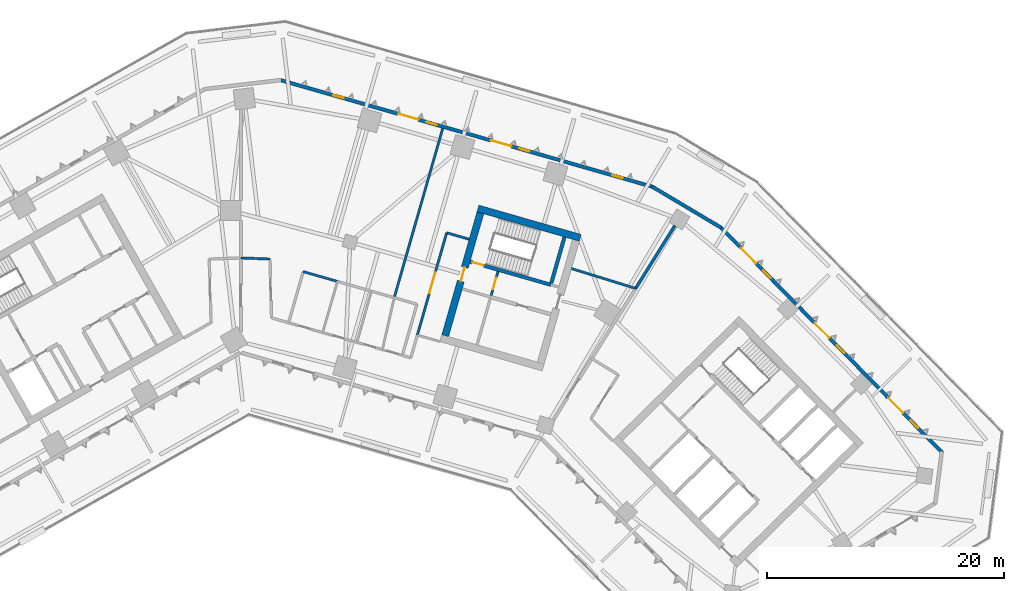
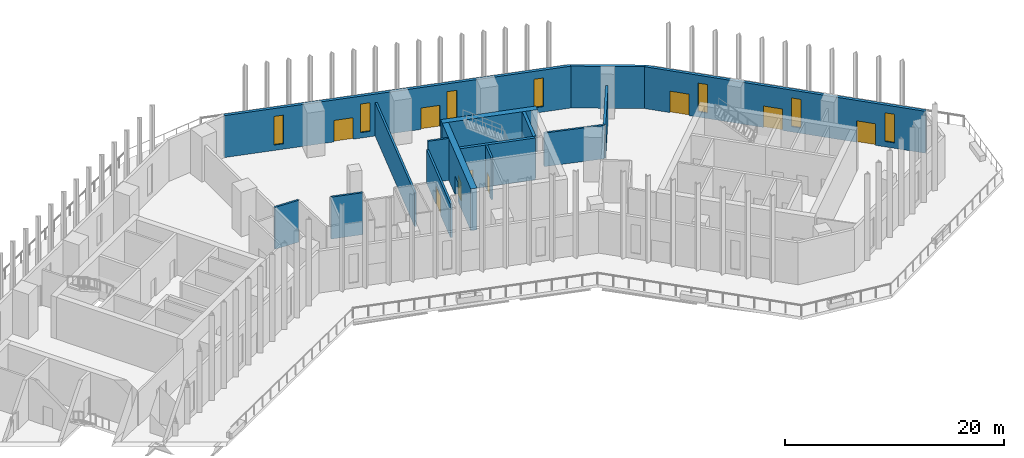
# One storey, part 10 of 17: 15 walls, 9 doors, 7 windows, 16 openings.
"""IFC4 building model written with IfcOpenShell, lengths in metres."""

from ifc_helpers import new_model, si_unit, direction, frame, frame_2d, origin, place, context, subcontext, project, spatial, rectangle, extrude, material, layer, layer_set, type_object, element, fill, save


model = new_model("IFC4")

# Units and contexts
model_context = context("Model", 3, precision=1e-05, world=origin(), true_north=direction((0.0, 1.0)))
body_context = subcontext(model_context, "Body", "Model", "MODEL_VIEW")
ifc_project = project(units=[si_unit("LENGTHUNIT", "METRE"), si_unit("AREAUNIT", "SQUARE_METRE"), si_unit("VOLUMEUNIT", "CUBIC_METRE"), si_unit("PLANEANGLEUNIT", "RADIAN"), si_unit("MASSUNIT", "GRAM", prefix="KILO")], contexts=[model_context])

# Site, building, storey
site_placement = place(None, origin())
site = spatial("IfcSite", under=ifc_project, at=site_placement, CompositionType="ELEMENT")
building_placement = place(site_placement, origin())
building = spatial("IfcBuilding", under=site, at=building_placement, Name="Binnacle Exchange Tower", CompositionType="ELEMENT")
storey_placement = place(building_placement, frame((0.0, 0.0, 26.5)))
storey = spatial("IfcBuildingStorey", under=building, at=storey_placement, Name="L05", CompositionType="ELEMENT", Elevation=26.5)

# Wall
ifc_material_1 = material(Name="Concrete C70/85", Category="concrete")
ifc_layer_1 = layer(ifc_material_1, 0.60009765625)
ifc_layer_set_1 = layer_set([ifc_layer_1], Name="Core wall - outer 600")
wall_type_1 = type_object("IfcWallType", Name="Core wall - outer 600", PredefinedType="SOLIDWALL", material=ifc_layer_set_1)
wall_1_placement = place(storey_placement, frame((20.052734375, 60.1796875, 0.0), z_axis=(0.0, 0.0, 1.0), x_axis=(0.96126248289, -0.275634611374, 0.0)))
element("IfcWall", 1, at=wall_1_placement, inside=storey, type_object=wall_type_1, Name="Core wall CRWD6", PredefinedType="SOLIDWALL", context=body_context, shape_type="SweptSolid", body=[
    extrude(rectangle(XDim=9.0, YDim=0.60009765625, at=frame_2d((4.5, 0.0))), origin(), (0.0, 0.0, 1.0), 4.679931640625),
])

# Wall, opening, door
wall_2_placement = place(storey_placement, frame((17.28173828125, 49.427001953125, 0.0), z_axis=(0.0, 0.0, 1.0), x_axis=(0.275631631629, 0.961263337304, 0.0)))
wall_2 = element("IfcWall", 2, at=wall_2_placement, inside=storey, type_object=wall_type_1, Name="Core wall CRWD7", PredefinedType="SOLIDWALL", context=body_context, shape_type="SweptSolid", body=[
    extrude(rectangle(XDim=10.800048828125, YDim=0.60009765625, at=frame_2d((5.39990234375, 0.0))), origin(), (0.0, 0.0, 1.0), 4.679931640625),
])
opening_1_placement = place(wall_2_placement, frame((4.800048828125, 0.0, 0.0)))
opening_1 = element("IfcOpeningElement", 3, at=opening_1_placement, cuts=wall_2, Name="Opening DD5", PredefinedType="OPENING", context=body_context, shape_type="SweptSolid", body=[
    extrude(rectangle(XDim=1.199951171875, YDim=2.10009765625, at=frame_2d((0.60009765625, 1.050048828125))), frame((0.0, 0.31005859375, 0.0), z_axis=(0.0, -1.0, 0.0), x_axis=(1.0, 0.0, 0.0)), (0.0, 0.0, 1.0), 0.6201171875),
])
ifc_material_2 = material(Name="Steel door leaf", Category="steel")
door_type_1 = type_object("IfcDoorType", Name="Fire door 1200", OperationType="NOTDEFINED", PredefinedType="DOOR", material=ifc_material_2)
door_1_placement = place(opening_1_placement, origin())
door_1 = element("IfcDoor", 4, at=door_1_placement, inside=storey, type_object=door_type_1, Name="Vestibule exit door VEST-W", OperationType="SINGLE_SWING_RIGHT", OverallHeight=2.10009765625, OverallWidth=1.199951171875, PredefinedType="DOOR", context=body_context, shape_type="SweptSolid", body=[
    extrude(rectangle(XDim=1.199951171875, YDim=2.10009765625, at=frame_2d((0.60009765625, 1.050048828125))), frame((0.0, 0.02490234375, 0.0), z_axis=(0.0, -1.0, 0.0), x_axis=(1.0, 0.0, 0.0)), (0.0, 0.0, 1.0), 0.050048828125),
])
fill(opening_1, door_1)

ifc_layer_2 = layer(ifc_material_1, 0.300048828125)
ifc_layer_set_2 = layer_set([ifc_layer_2], Name="Core wall - stair 300")
wall_type_2 = type_object("IfcWallType", Name="Core wall - stair 300", PredefinedType="SOLIDWALL", material=ifc_layer_set_2)
wall_3_placement = place(storey_placement, frame((19.38916015625, 55.688720703125, 0.0), z_axis=(0.0, 0.0, 1.0), x_axis=(0.961261397636, -0.275638396117, 0.0)))
wall_3 = element("IfcWall", 5, at=wall_3_placement, inside=storey, type_object=wall_type_2, Name="Core wall CRWD4", PredefinedType="SOLIDWALL", context=body_context, shape_type="SweptSolid", body=[
    extrude(rectangle(XDim=7.10009765625, YDim=0.300048828125, at=frame_2d((3.550048828125, 0.0))), origin(), (0.0, 0.0, 1.0), 4.679931640625),
])
opening_2_placement = place(wall_3_placement, frame((0.199951171875, 0.0, 0.0)))
opening_2 = element("IfcOpeningElement", 6, at=opening_2_placement, cuts=wall_3, Name="Opening DD1", PredefinedType="OPENING", context=body_context, shape_type="SweptSolid", body=[
    extrude(rectangle(XDim=1.0, YDim=2.10009765625, at=frame_2d((0.5, 1.050048828125))), frame((0.0, 0.159912109375, 0.0), z_axis=(0.0, -1.0, 0.0), x_axis=(1.0, 0.0, 0.0)), (0.0, 0.0, 1.0), 0.320068359375),
])
door_type_2 = type_object("IfcDoorType", Name="Fire door 1000", OperationType="NOTDEFINED", PredefinedType="DOOR", material=ifc_material_2)
door_2_placement = place(opening_2_placement, origin())
door_2 = element("IfcDoor", 7, at=door_2_placement, inside=storey, type_object=door_type_2, Name="Stair door ST-D1", OperationType="SINGLE_SWING_LEFT", OverallHeight=2.10009765625, OverallWidth=1.0, PredefinedType="DOOR", context=body_context, shape_type="SweptSolid", body=[
    extrude(rectangle(XDim=1.0, YDim=2.10009765625, at=frame_2d((0.5, 1.050048828125))), frame((0.0, 0.02490234375, 0.0), z_axis=(0.0, -1.0, 0.0), x_axis=(1.0, 0.0, 0.0)), (0.0, 0.0, 1.0), 0.050048828125),
])
fill(opening_2, door_2)

# Walls
wall_4_placement = place(storey_placement, frame((26.255615234375, 53.875732421875, 0.0), z_axis=(0.0, 0.0, 1.0), x_axis=(0.275612739511, 0.961268754209, 0.0)))
element("IfcWall", 8, at=wall_4_placement, inside=storey, type_object=wall_type_2, Name="Core wall CRWD11", PredefinedType="SOLIDWALL", context=body_context, shape_type="SweptSolid", body=[
    extrude(rectangle(XDim=4.0498046875, YDim=0.300048828125, at=frame_2d((2.02490234375, 0.0))), origin(), (0.0, 0.0, 1.0), 4.679931640625),
])
ifc_material_3 = material(Name="Bronze aluminium cladding", Category="aluminium")
ifc_layer_3 = layer(ifc_material_3, 0.300048828125)
ifc_layer_set_3 = layer_set([ifc_layer_3], Name="External wall - spandrel 300")
wall_type_3 = type_object("IfcWallType", Name="External wall - spandrel 300", PredefinedType="STANDARD", material=ifc_layer_set_3)
wall_5_placement = place(storey_placement, frame((34.773193359375, 62.0341796875, 0.0), z_axis=(0.0, 0.0, 1.0), x_axis=(0.859401317772, -0.511301647769, 0.0)))
element("IfcWall", 9, at=wall_5_placement, inside=storey, type_object=wall_type_3, Name="External wall EW-F00 L05", PredefinedType="STANDARD", context=body_context, shape_type="SweptSolid", body=[
    extrude(rectangle(XDim=6.80810546875, YDim=0.300048828125, at=frame_2d((3.404052734375, 0.0))), origin(), (0.0, 0.0, 1.0), 4.679931640625),
])

# Wall, openings, doors, windows
wall_6_placement = place(storey_placement, frame((3.33544921875, 71.043701171875, 0.0), z_axis=(0.0, 0.0, 1.0), x_axis=(0.961260130989, -0.275642813387, 0.0)))
wall_6 = element("IfcWall", 10, at=wall_6_placement, inside=storey, type_object=wall_type_3, Name="External wall EW-F01 L05", PredefinedType="STANDARD", context=body_context, shape_type="SweptSolid", body=[
    extrude(rectangle(XDim=32.7412109375, YDim=0.300048828125, at=frame_2d((16.37060546875, 0.0))), origin(), (0.0, 0.0, 1.0), 4.679931640625),
])
opening_3_placement = place(wall_6_placement, frame((29.20703125, 0.0, 0.60009765625)))
opening_3 = element("IfcOpeningElement", 11, at=opening_3_placement, cuts=wall_6, Name="Opening WS1", PredefinedType="OPENING", context=body_context, shape_type="SweptSolid", body=[
    extrude(rectangle(XDim=0.89990234375, YDim=3.199951171875, at=frame_2d((0.449951171875, 1.60009765625))), frame((0.0, 0.159912109375, 0.0), z_axis=(0.0, -1.0, 0.0), x_axis=(1.0, 0.0, 0.0)), (0.0, 0.0, 1.0), 0.320068359375),
])
opening_4_placement = place(wall_6_placement, frame((21.0341796875, 0.0, 0.60009765625)))
opening_4 = element("IfcOpeningElement", 12, at=opening_4_placement, cuts=wall_6, Name="Opening WS1", PredefinedType="OPENING", context=body_context, shape_type="SweptSolid", body=[
    extrude(rectangle(XDim=0.89990234375, YDim=3.199951171875, at=frame_2d((0.449951171875, 1.60009765625))), frame((0.0, 0.159912109375, 0.0), z_axis=(0.0, -1.0, 0.0), x_axis=(1.0, 0.0, 0.0)), (0.0, 0.0, 1.0), 0.320068359375),
])
opening_5_placement = place(wall_6_placement, frame((18.541015625, 0.0, 0.0)))
opening_5 = element("IfcOpeningElement", 13, at=opening_5_placement, cuts=wall_6, Name="Opening D-FS05-01", PredefinedType="OPENING", context=body_context, shape_type="SweptSolid", body=[
    extrude(rectangle(XDim=1.800048828125, YDim=2.39990234375, at=frame_2d((0.89990234375, 1.199951171875))), frame((0.0, 0.159912109375, 0.0), z_axis=(0.0, -1.0, 0.0), x_axis=(1.0, 0.0, 0.0)), (0.0, 0.0, 1.0), 0.320068359375),
])
opening_6_placement = place(wall_6_placement, frame((12.861083984375, 0.0, 0.60009765625)))
opening_6 = element("IfcOpeningElement", 14, at=opening_6_placement, cuts=wall_6, Name="Opening WS1", PredefinedType="OPENING", context=body_context, shape_type="SweptSolid", body=[
    extrude(rectangle(XDim=0.89990234375, YDim=3.199951171875, at=frame_2d((0.449951171875, 1.60009765625))), frame((0.0, 0.159912109375, 0.0), z_axis=(0.0, -1.0, 0.0), x_axis=(1.0, 0.0, 0.0)), (0.0, 0.0, 1.0), 0.320068359375),
])
opening_7_placement = place(wall_6_placement, frame((10.367919921875, 0.0, 0.0)))
opening_7 = element("IfcOpeningElement", 15, at=opening_7_placement, cuts=wall_6, Name="Opening D-FS05-02", PredefinedType="OPENING", context=body_context, shape_type="SweptSolid", body=[
    extrude(rectangle(XDim=1.800048828125, YDim=2.39990234375, at=frame_2d((0.89990234375, 1.199951171875))), frame((0.0, 0.159912109375, 0.0), z_axis=(0.0, -1.0, 0.0), x_axis=(1.0, 0.0, 0.0)), (0.0, 0.0, 1.0), 0.320068359375),
])
opening_8_placement = place(wall_6_placement, frame((4.688232421875, 0.0, 0.60009765625)))
opening_8 = element("IfcOpeningElement", 16, at=opening_8_placement, cuts=wall_6, Name="Opening WS1", PredefinedType="OPENING", context=body_context, shape_type="SweptSolid", body=[
    extrude(rectangle(XDim=0.89990234375, YDim=3.199951171875, at=frame_2d((0.449951171875, 1.60009765625))), frame((0.0, 0.159912109375, 0.0), z_axis=(0.0, -1.0, 0.0), x_axis=(1.0, 0.0, 0.0)), (0.0, 0.0, 1.0), 0.320068359375),
])
ifc_material_4 = material(Name="Bronze anodised aluminium frame", Category="aluminium")
door_type_3 = type_object("IfcDoorType", Name="DT DOOR 1800x2400", OperationType="DOUBLE_DOOR_SINGLE_SWING", PredefinedType="DOOR", material=ifc_material_4)
door_3_placement = place(opening_5_placement, origin())
door_3 = element("IfcDoor", 17, at=door_3_placement, inside=storey, type_object=door_type_3, Name="Door D-FS05-01 L05", OperationType="DOUBLE_DOOR_SINGLE_SWING", OverallHeight=2.39990234375, OverallWidth=1.800048828125, PredefinedType="DOOR", context=body_context, shape_type="SweptSolid", body=[
    extrude(rectangle(XDim=1.800048828125, YDim=2.39990234375, at=frame_2d((0.89990234375, 1.199951171875))), frame((0.0, 0.02490234375, 0.0), z_axis=(0.0, -1.0, 0.0), x_axis=(1.0, 0.0, 0.0)), (0.0, 0.0, 1.0), 0.050048828125),
])
fill(opening_5, door_3)
door_4_placement = place(opening_7_placement, origin())
door_4 = element("IfcDoor", 18, at=door_4_placement, inside=storey, type_object=door_type_3, Name="Door D-FS05-02 L05", OperationType="DOUBLE_DOOR_SINGLE_SWING", OverallHeight=2.39990234375, OverallWidth=1.800048828125, PredefinedType="DOOR", context=body_context, shape_type="SweptSolid", body=[
    extrude(rectangle(XDim=1.800048828125, YDim=2.39990234375, at=frame_2d((0.89990234375, 1.199951171875))), frame((0.0, 0.02490234375, 0.0), z_axis=(0.0, -1.0, 0.0), x_axis=(1.0, 0.0, 0.0)), (0.0, 0.0, 1.0), 0.050048828125),
])
fill(opening_7, door_4)
window_type = type_object("IfcWindowType", Name="WS1 WINDOW 900x3200", PartitioningType="SINGLE_PANEL", PredefinedType="WINDOW", material=ifc_material_4)
window_1_placement = place(opening_3_placement, origin())
window_1 = element("IfcWindow", 19, at=window_1_placement, inside=storey, type_object=window_type, Name="Window WS1 L05", OverallHeight=3.199951171875, OverallWidth=0.89990234375, PartitioningType="SINGLE_PANEL", PredefinedType="WINDOW", context=body_context, shape_type="SweptSolid", body=[
    extrude(rectangle(XDim=0.89990234375, YDim=3.199951171875, at=frame_2d((0.449951171875, 1.60009765625))), frame((0.0, 0.030029296875, 0.0), z_axis=(0.0, -1.0, 0.0), x_axis=(1.0, 0.0, 0.0)), (0.0, 0.0, 1.0), 0.06005859375),
])
fill(opening_3, window_1)
window_2_placement = place(opening_4_placement, origin())
window_2 = element("IfcWindow", 20, at=window_2_placement, inside=storey, type_object=window_type, Name="Window WS1 L05", OverallHeight=3.199951171875, OverallWidth=0.89990234375, PartitioningType="SINGLE_PANEL", PredefinedType="WINDOW", context=body_context, shape_type="SweptSolid", body=[
    extrude(rectangle(XDim=0.89990234375, YDim=3.199951171875, at=frame_2d((0.449951171875, 1.60009765625))), frame((0.0, 0.030029296875, 0.0), z_axis=(0.0, -1.0, 0.0), x_axis=(1.0, 0.0, 0.0)), (0.0, 0.0, 1.0), 0.06005859375),
])
fill(opening_4, window_2)
window_3_placement = place(opening_6_placement, origin())
window_3 = element("IfcWindow", 21, at=window_3_placement, inside=storey, type_object=window_type, Name="Window WS1 L05", OverallHeight=3.199951171875, OverallWidth=0.89990234375, PartitioningType="SINGLE_PANEL", PredefinedType="WINDOW", context=body_context, shape_type="SweptSolid", body=[
    extrude(rectangle(XDim=0.89990234375, YDim=3.199951171875, at=frame_2d((0.449951171875, 1.60009765625))), frame((0.0, 0.030029296875, 0.0), z_axis=(0.0, -1.0, 0.0), x_axis=(1.0, 0.0, 0.0)), (0.0, 0.0, 1.0), 0.06005859375),
])
fill(opening_6, window_3)
window_4_placement = place(opening_8_placement, origin())
window_4 = element("IfcWindow", 22, at=window_4_placement, inside=storey, type_object=window_type, Name="Window WS1 L05", OverallHeight=3.199951171875, OverallWidth=0.89990234375, PartitioningType="SINGLE_PANEL", PredefinedType="WINDOW", context=body_context, shape_type="SweptSolid", body=[
    extrude(rectangle(XDim=0.89990234375, YDim=3.199951171875, at=frame_2d((0.449951171875, 1.60009765625))), frame((0.0, 0.030029296875, 0.0), z_axis=(0.0, -1.0, 0.0), x_axis=(1.0, 0.0, 0.0)), (0.0, 0.0, 1.0), 0.06005859375),
])
fill(opening_8, window_4)

wall_7_placement = place(storey_placement, frame((40.59375, 58.576904296875, 0.0), z_axis=(0.0, 0.0, 1.0), x_axis=(0.700909719808, -0.713250001528, 0.0)))
wall_7 = element("IfcWall", 23, at=wall_7_placement, inside=storey, type_object=wall_type_3, Name="External wall EW-F13 L05", PredefinedType="STANDARD", context=body_context, shape_type="SweptSolid", body=[
    extrude(rectangle(XDim=26.70849609375, YDim=0.300048828125, at=frame_2d((13.354248046875, 0.0))), origin(), (0.0, 0.0, 1.0), 4.679931640625),
])
opening_9_placement = place(wall_7_placement, frame((22.8583984375, 0.0, 0.60009765625)))
opening_9 = element("IfcOpeningElement", 24, at=opening_9_placement, cuts=wall_7, Name="Opening WS1", PredefinedType="OPENING", context=body_context, shape_type="SweptSolid", body=[
    extrude(rectangle(XDim=0.89990234375, YDim=3.199951171875, at=frame_2d((0.449951171875, 1.60009765625))), frame((0.0, 0.159912109375, 0.0), z_axis=(0.0, -1.0, 0.0), x_axis=(1.0, 0.0, 0.0)), (0.0, 0.0, 1.0), 0.320068359375),
])
opening_10_placement = place(wall_7_placement, frame((20.1904296875, 0.0, 0.0)))
opening_10 = element("IfcOpeningElement", 25, at=opening_10_placement, cuts=wall_7, Name="Opening D-FS05-16", PredefinedType="OPENING", context=body_context, shape_type="SweptSolid", body=[
    extrude(rectangle(XDim=1.800048828125, YDim=2.39990234375, at=frame_2d((0.89990234375, 1.199951171875))), frame((0.0, 0.159912109375, 0.0), z_axis=(0.0, -1.0, 0.0), x_axis=(1.0, 0.0, 0.0)), (0.0, 0.0, 1.0), 0.320068359375),
])
opening_11_placement = place(wall_7_placement, frame((13.986572265625, 0.0, 0.60009765625)))
opening_11 = element("IfcOpeningElement", 26, at=opening_11_placement, cuts=wall_7, Name="Opening WS1", PredefinedType="OPENING", context=body_context, shape_type="SweptSolid", body=[
    extrude(rectangle(XDim=0.89990234375, YDim=3.199951171875, at=frame_2d((0.449951171875, 1.60009765625))), frame((0.0, 0.159912109375, 0.0), z_axis=(0.0, -1.0, 0.0), x_axis=(1.0, 0.0, 0.0)), (0.0, 0.0, 1.0), 0.320068359375),
])
opening_12_placement = place(wall_7_placement, frame((11.318359375, 0.0, 0.0)))
opening_12 = element("IfcOpeningElement", 27, at=opening_12_placement, cuts=wall_7, Name="Opening D-FS05-17", PredefinedType="OPENING", context=body_context, shape_type="SweptSolid", body=[
    extrude(rectangle(XDim=1.800048828125, YDim=2.39990234375, at=frame_2d((0.89990234375, 1.199951171875))), frame((0.0, 0.159912109375, 0.0), z_axis=(0.0, -1.0, 0.0), x_axis=(1.0, 0.0, 0.0)), (0.0, 0.0, 1.0), 0.320068359375),
])
opening_13_placement = place(wall_7_placement, frame((5.114501953125, 0.0, 0.60009765625)))
opening_13 = element("IfcOpeningElement", 28, at=opening_13_placement, cuts=wall_7, Name="Opening WS1", PredefinedType="OPENING", context=body_context, shape_type="SweptSolid", body=[
    extrude(rectangle(XDim=0.89990234375, YDim=3.199951171875, at=frame_2d((0.449951171875, 1.60009765625))), frame((0.0, 0.159912109375, 0.0), z_axis=(0.0, -1.0, 0.0), x_axis=(1.0, 0.0, 0.0)), (0.0, 0.0, 1.0), 0.320068359375),
])
opening_14_placement = place(wall_7_placement, frame((2.4462890625, 0.0, 0.0)))
opening_14 = element("IfcOpeningElement", 29, at=opening_14_placement, cuts=wall_7, Name="Opening D-FS05-18", PredefinedType="OPENING", context=body_context, shape_type="SweptSolid", body=[
    extrude(rectangle(XDim=1.800048828125, YDim=2.39990234375, at=frame_2d((0.89990234375, 1.199951171875))), frame((0.0, 0.159912109375, 0.0), z_axis=(0.0, -1.0, 0.0), x_axis=(1.0, 0.0, 0.0)), (0.0, 0.0, 1.0), 0.320068359375),
])
door_5_placement = place(opening_10_placement, origin())
door_5 = element("IfcDoor", 30, at=door_5_placement, inside=storey, type_object=door_type_3, Name="Door D-FS05-16 L05", OperationType="DOUBLE_DOOR_SINGLE_SWING", OverallHeight=2.39990234375, OverallWidth=1.800048828125, PredefinedType="DOOR", context=body_context, shape_type="SweptSolid", body=[
    extrude(rectangle(XDim=1.800048828125, YDim=2.39990234375, at=frame_2d((0.89990234375, 1.199951171875))), frame((0.0, 0.02490234375, 0.0), z_axis=(0.0, -1.0, 0.0), x_axis=(1.0, 0.0, 0.0)), (0.0, 0.0, 1.0), 0.050048828125),
])
fill(opening_10, door_5)
door_6_placement = place(opening_12_placement, origin())
door_6 = element("IfcDoor", 31, at=door_6_placement, inside=storey, type_object=door_type_3, Name="Door D-FS05-17 L05", OperationType="DOUBLE_DOOR_SINGLE_SWING", OverallHeight=2.39990234375, OverallWidth=1.800048828125, PredefinedType="DOOR", context=body_context, shape_type="SweptSolid", body=[
    extrude(rectangle(XDim=1.800048828125, YDim=2.39990234375, at=frame_2d((0.89990234375, 1.199951171875))), frame((0.0, 0.02490234375, 0.0), z_axis=(0.0, -1.0, 0.0), x_axis=(1.0, 0.0, 0.0)), (0.0, 0.0, 1.0), 0.050048828125),
])
fill(opening_12, door_6)
door_7_placement = place(opening_14_placement, origin())
door_7 = element("IfcDoor", 32, at=door_7_placement, inside=storey, type_object=door_type_3, Name="Door D-FS05-18 L05", OperationType="DOUBLE_DOOR_SINGLE_SWING", OverallHeight=2.39990234375, OverallWidth=1.800048828125, PredefinedType="DOOR", context=body_context, shape_type="SweptSolid", body=[
    extrude(rectangle(XDim=1.800048828125, YDim=2.39990234375, at=frame_2d((0.89990234375, 1.199951171875))), frame((0.0, 0.02490234375, 0.0), z_axis=(0.0, -1.0, 0.0), x_axis=(1.0, 0.0, 0.0)), (0.0, 0.0, 1.0), 0.050048828125),
])
fill(opening_14, door_7)
window_5_placement = place(opening_9_placement, origin())
window_5 = element("IfcWindow", 33, at=window_5_placement, inside=storey, type_object=window_type, Name="Window WS1 L05", OverallHeight=3.199951171875, OverallWidth=0.89990234375, PartitioningType="SINGLE_PANEL", PredefinedType="WINDOW", context=body_context, shape_type="SweptSolid", body=[
    extrude(rectangle(XDim=0.89990234375, YDim=3.199951171875, at=frame_2d((0.449951171875, 1.60009765625))), frame((0.0, 0.030029296875, 0.0), z_axis=(0.0, -1.0, 0.0), x_axis=(1.0, 0.0, 0.0)), (0.0, 0.0, 1.0), 0.06005859375),
])
fill(opening_9, window_5)
window_6_placement = place(opening_11_placement, origin())
window_6 = element("IfcWindow", 34, at=window_6_placement, inside=storey, type_object=window_type, Name="Window WS1 L05", OverallHeight=3.199951171875, OverallWidth=0.89990234375, PartitioningType="SINGLE_PANEL", PredefinedType="WINDOW", context=body_context, shape_type="SweptSolid", body=[
    extrude(rectangle(XDim=0.89990234375, YDim=3.199951171875, at=frame_2d((0.449951171875, 1.60009765625))), frame((0.0, 0.030029296875, 0.0), z_axis=(0.0, -1.0, 0.0), x_axis=(1.0, 0.0, 0.0)), (0.0, 0.0, 1.0), 0.06005859375),
])
fill(opening_11, window_6)
window_7_placement = place(opening_13_placement, origin())
window_7 = element("IfcWindow", 35, at=window_7_placement, inside=storey, type_object=window_type, Name="Window WS1 L05", OverallHeight=3.199951171875, OverallWidth=0.89990234375, PartitioningType="SINGLE_PANEL", PredefinedType="WINDOW", context=body_context, shape_type="SweptSolid", body=[
    extrude(rectangle(XDim=0.89990234375, YDim=3.199951171875, at=frame_2d((0.449951171875, 1.60009765625))), frame((0.0, 0.030029296875, 0.0), z_axis=(0.0, -1.0, 0.0), x_axis=(1.0, 0.0, 0.0)), (0.0, 0.0, 1.0), 0.06005859375),
])
fill(opening_13, window_7)

# Walls
ifc_material_5 = material(Name="Masonry block wall", Category="masonry")
ifc_layer_4 = layer(ifc_material_5, 0.199951171875)
ifc_layer_set_4 = layer_set([ifc_layer_4], Name="Fire wall - block 200")
wall_type_4 = type_object("IfcWallType", Name="Fire wall - block 200", PredefinedType="PARTITIONING", material=ifc_layer_set_4)
wall_8_placement = place(storey_placement, frame((0.0, 56.0, 0.0), z_axis=(0.0, 0.0, 1.0), x_axis=(0.999349313684, -0.036068673934, 0.0)))
element("IfcWall", 36, at=wall_8_placement, inside=storey, type_object=wall_type_4, Name="Partition W11", PredefinedType="PARTITIONING", context=body_context, shape_type="SweptSolid", body=[
    extrude(rectangle(XDim=2.470703125, YDim=0.199951171875, at=frame_2d((1.2353515625, 0.0))), origin(), (0.0, 0.0, 1.0), 4.679931640625),
])
wall_9_placement = place(storey_placement, frame((5.283935546875, 54.843994140625, 0.0), z_axis=(0.0, 0.0, 1.0), x_axis=(0.961243927922, -0.275699312717, 0.0)))
element("IfcWall", 37, at=wall_9_placement, inside=storey, type_object=wall_type_4, Name="Partition W17", PredefinedType="PARTITIONING", context=body_context, shape_type="SweptSolid", body=[
    extrude(rectangle(XDim=2.999267578125, YDim=0.199951171875, at=frame_2d((1.49951171875, 0.0))), origin(), (0.0, 0.0, 1.0), 4.679931640625),
])
wall_10_placement = place(storey_placement, frame((12.97412109375, 52.638916015625, 0.0), z_axis=(0.0, 0.0, 1.0), x_axis=(0.275299463768, 0.961358520662, 0.0)))
element("IfcWall", 38, at=wall_10_placement, inside=storey, type_object=wall_type_4, Name="Partition W27", PredefinedType="PARTITIONING", context=body_context, shape_type="SweptSolid", body=[
    extrude(rectangle(XDim=14.88525390625, YDim=0.199951171875, at=frame_2d((7.442626953125, 0.0))), origin(), (0.0, 0.0, 1.0), 3.741943359375),
])

# Wall, opening, door
wall_11_placement = place(storey_placement, frame((14.927978515625, 49.47802734375, 0.0), z_axis=(0.0, 0.0, 1.0), x_axis=(0.275674053528, 0.961251172281, 0.0)))
wall_11 = element("IfcWall", 39, at=wall_11_placement, inside=storey, type_object=wall_type_4, Name="Partition W32", PredefinedType="PARTITIONING", context=body_context, shape_type="SweptSolid", body=[
    extrude(rectangle(XDim=8.99951171875, YDim=0.199951171875, at=frame_2d((4.499755859375, 0.0))), origin(), (0.0, 0.0, 1.0), 3.741943359375),
])
opening_15_placement = place(wall_11_placement, frame((3.699951171875, 0.0, 0.0)))
opening_15 = element("IfcOpeningElement", 40, at=opening_15_placement, cuts=wall_11, Name="Opening DL05-09", PredefinedType="OPENING", context=body_context, shape_type="SweptSolid", body=[
    extrude(rectangle(XDim=1.800048828125, YDim=2.10009765625, at=frame_2d((0.89990234375, 1.050048828125))), frame((0.0, 0.10986328125, 0.0), z_axis=(0.0, -1.0, 0.0), x_axis=(1.0, 0.0, 0.0)), (0.0, 0.0, 1.0), 0.219970703125),
])
door_type_4 = type_object("IfcDoorType", Name="Fire door 1800", OperationType="NOTDEFINED", PredefinedType="DOOR", material=ifc_material_2)
door_8_placement = place(opening_15_placement, origin())
door_8 = element("IfcDoor", 41, at=door_8_placement, inside=storey, type_object=door_type_4, Name="Door DL05-09", OperationType="DOUBLE_DOOR_SINGLE_SWING", OverallHeight=2.10009765625, OverallWidth=1.800048828125, PredefinedType="DOOR", context=body_context, shape_type="SweptSolid", body=[
    extrude(rectangle(XDim=1.800048828125, YDim=2.10009765625, at=frame_2d((0.89990234375, 1.050048828125))), frame((0.0, 0.02490234375, 0.0), z_axis=(0.0, -1.0, 0.0), x_axis=(1.0, 0.0, 0.0)), (0.0, 0.0, 1.0), 0.050048828125),
])
fill(opening_15, door_8)

# Walls
wall_12_placement = place(storey_placement, frame((17.408935546875, 58.12890625, 0.0), z_axis=(0.0, 0.0, 1.0), x_axis=(0.961253165474, -0.275667103345, 0.0)))
element("IfcWall", 42, at=wall_12_placement, inside=storey, type_object=wall_type_4, Name="Partition W33", PredefinedType="PARTITIONING", context=body_context, shape_type="SweptSolid", body=[
    extrude(rectangle(XDim=1.976806640625, YDim=0.199951171875, at=frame_2d((0.98828125, 0.0))), origin(), (0.0, 0.0, 1.0), 4.679931640625),
])
wall_13_placement = place(storey_placement, frame((27.9599609375, 55.10302734375, 0.0), z_axis=(0.0, 0.0, 1.0), x_axis=(0.955442775069, -0.29517639399, 0.0)))
element("IfcWall", 43, at=wall_13_placement, inside=storey, type_object=wall_type_4, Name="Partition W35", PredefinedType="PARTITIONING", context=body_context, shape_type="SweptSolid", body=[
    extrude(rectangle(XDim=5.677978515625, YDim=0.199951171875, at=frame_2d((2.8388671875, 0.0))), origin(), (0.0, 0.0, 1.0), 3.748046875),
])
ifc_material_6 = material(Name="Concrete fire wall C30/37", Category="concrete")
ifc_layer_5 = layer(ifc_material_6, 0.25)
ifc_layer_set_5 = layer_set([ifc_layer_5], Name="Fire wall - compartment 250")
wall_type_5 = type_object("IfcWallType", Name="Fire wall - compartment 250", PredefinedType="PARTITIONING", material=ifc_layer_set_5)
wall_14_placement = place(storey_placement, frame((33.385009765625, 53.427001953125, 0.0), z_axis=(0.0, 0.0, 1.0), x_axis=(0.529897235032, 0.848061861131, 0.0)))
element("IfcWall", 44, at=wall_14_placement, inside=storey, type_object=wall_type_5, Name="Fire Wall W40", PredefinedType="PARTITIONING", context=body_context, shape_type="SweptSolid", body=[
    extrude(rectangle(XDim=6.257568359375, YDim=0.25, at=frame_2d((3.12890625, 0.0))), origin(), (0.0, 0.0, 1.0), 3.741943359375),
])

# Wall, opening, door
ifc_layer_6 = layer(ifc_material_5, 0.199951171875)
ifc_layer_set_6 = layer_set([ifc_layer_6], Name="Fire wall - vestibule 200")
wall_type_6 = type_object("IfcWallType", Name="Fire wall - vestibule 200", PredefinedType="PARTITIONING", material=ifc_layer_set_6)
wall_15_placement = place(storey_placement, frame((21.172119140625, 52.836669921875, 0.0), z_axis=(0.0, 0.0, 1.0), x_axis=(0.275657676022, 0.961255868981, 0.0)))
wall_15 = element("IfcWall", 45, at=wall_15_placement, inside=storey, type_object=wall_type_6, Name="Core wall CRWD9", PredefinedType="PARTITIONING", context=body_context, shape_type="SweptSolid", body=[
    extrude(rectangle(XDim=2.099853515625, YDim=0.199951171875, at=frame_2d((1.0498046875, 0.0))), origin(), (0.0, 0.0, 1.0), 4.679931640625),
])
opening_16_placement = place(wall_15_placement, frame((0.550048828125, 0.0, 0.0)))
opening_16 = element("IfcOpeningElement", 46, at=opening_16_placement, cuts=wall_15, Name="Opening DD3", PredefinedType="OPENING", context=body_context, shape_type="SweptSolid", body=[
    extrude(rectangle(XDim=1.0, YDim=2.10009765625, at=frame_2d((0.5, 1.050048828125))), frame((0.0, 0.10986328125, 0.0), z_axis=(0.0, -1.0, 0.0), x_axis=(1.0, 0.0, 0.0)), (0.0, 0.0, 1.0), 0.219970703125),
])
door_9_placement = place(opening_16_placement, origin())
door_9 = element("IfcDoor", 47, at=door_9_placement, inside=storey, type_object=door_type_2, Name="Vestibule door VEST-W", OperationType="SINGLE_SWING_RIGHT", OverallHeight=2.10009765625, OverallWidth=1.0, PredefinedType="DOOR", context=body_context, shape_type="SweptSolid", body=[
    extrude(rectangle(XDim=1.0, YDim=2.10009765625, at=frame_2d((0.5, 1.050048828125))), frame((0.0, 0.02490234375, 0.0), z_axis=(0.0, -1.0, 0.0), x_axis=(1.0, 0.0, 0.0)), (0.0, 0.0, 1.0), 0.050048828125),
])
fill(opening_16, door_9)

save(model, "model.ifc")
